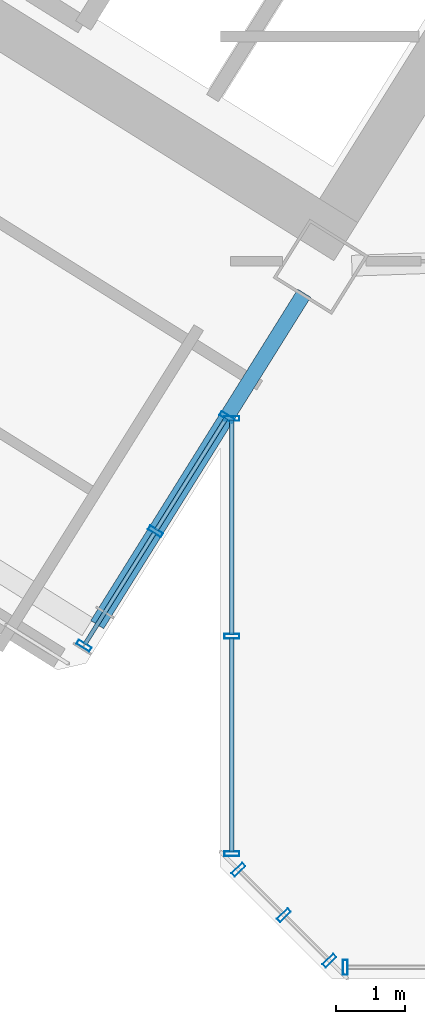
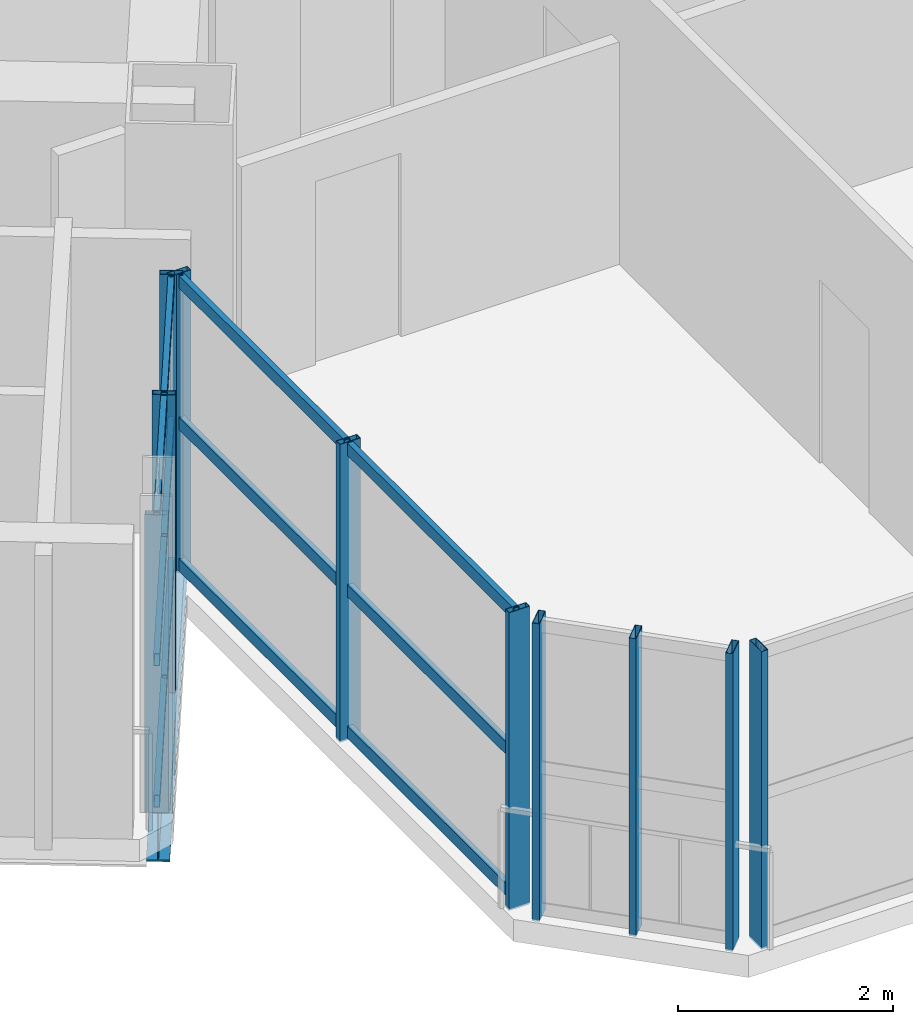
# One storey, part 5 of 28: 22 members, 1 beam, 4 elements without a shape of their own.
"""IFC4 building model written with IfcOpenShell, lengths in metres."""

from ifc_helpers import new_model, si_unit, direction, frame, origin, origin_2d, place, context, subcontext, project, spatial, hollow_rectangle, i_section, extrude, source, transform, mapped, material, material_profile, profile_set, type_object, element, aggregate, save


model = new_model("IFC4")

# Units and contexts
model_context = context("Model", 3, precision=1e-05, world=origin(), true_north=direction((0.0, 1.0)))
body_context = subcontext(model_context, "Body", "Model", "MODEL_VIEW")
ifc_project = project(units=[si_unit("LENGTHUNIT", "METRE"), si_unit("AREAUNIT", "SQUARE_METRE"), si_unit("VOLUMEUNIT", "CUBIC_METRE"), si_unit("PLANEANGLEUNIT", "RADIAN"), si_unit("MASSUNIT", "GRAM", prefix="KILO")], contexts=[model_context])

# Site, building, storey
site_placement = place(None, origin())
site = spatial("IfcSite", under=ifc_project, at=site_placement, CompositionType="ELEMENT")
building_placement = place(site_placement, origin())
building = spatial("IfcBuilding", under=site, at=building_placement, Name="Tlacorven Tower", CompositionType="ELEMENT")
storey_placement = place(building_placement, frame((0.0, 0.0, 42.0)))
storey = spatial("IfcBuildingStorey", under=building, at=storey_placement, Name="L10", CompositionType="ELEMENT", Elevation=42.0)

# Beam
ifc_material_1 = material(Name="Steel S355J2", Category="steel")
ifc_material_profile_1 = material_profile(ifc_material_1, i_section(OverallWidth=0.219970703125, OverallDepth=0.60009765625, WebThickness=0.011962890625, FlangeThickness=0.01904296875, at=origin_2d()), Name="IPE 600")
ifc_profile_set_1 = profile_set([ifc_material_profile_1], Name="Steel S355J2")
beam_type = type_object("IfcBeamType", Name="BM-TWR-600", PredefinedType="BEAM", material=ifc_profile_set_1)
shared_shape_1 = source(origin(), body_context, "Body", "SweptSolid", [
    extrude(i_section(OverallWidth=0.219970703125, OverallDepth=0.60009765625, WebThickness=0.011962890625, FlangeThickness=0.01904296875, at=origin_2d()), origin(), (0.0, 0.0, 1.0), 5.64990234375),
])
beam_placement = place(storey_placement, frame((32.8076171875, 11.705322265625, -0.550048828125), z_axis=(-0.529897948462, -0.848061415356, 0.0), x_axis=(0.848061415356, -0.529897948462, 0.0)))
element("IfcBeam", 1, at=beam_placement, inside=storey, type_object=beam_type, Name="L10 beam BM-L10-WT1-2", PredefinedType="BEAM", context=body_context, shape_type="MappedRepresentation", body=[
    mapped(shared_shape_1, transform((0.0, 0.0, 0.0), scale=1.0)),
])

# Curtain wall, member
ifc_material_2 = material(Name="Dark solar low-E double glazing in aluminium frame", Category="aluminium")
curtain_wall_type = type_object("IfcCurtainWallType", Name="CW-TWR-LOW", PredefinedType="USERDEFINED", material=ifc_material_2)
curtain_wall_1_placement = place(storey_placement, origin())
curtain_wall_1 = element("IfcCurtainWall", 2, at=curtain_wall_1_placement, inside=storey, type_object=curtain_wall_type, Name="L10 CW-TWR-LOW Curtain Wall 52", ObjectType="UNITISED CURTAIN WALL", PredefinedType="USERDEFINED")
ifc_material_3 = material(Name="Aluminium 6063-T6 anodised", Category="aluminium")
ifc_material_profile_2 = material_profile(ifc_material_3, hollow_rectangle(XDim=0.070068359375, YDim=0.219970703125, WallThickness=0.0048828125, at=origin_2d()), Name="ALU MULLION 70X220")
ifc_profile_set_2 = profile_set([ifc_material_profile_2], Name="Aluminium 6063-T6 anodised")
member_type_1 = type_object("IfcMemberType", Name="CWM-01", PredefinedType="MULLION", material=ifc_profile_set_2)
shared_shape_2 = source(origin(), body_context, "Body", "SweptSolid", [
    extrude(hollow_rectangle(XDim=0.070068359375, YDim=0.219970703125, WallThickness=0.0048828125, at=origin_2d()), origin(), (0.0, 0.0, 1.0), 3.380126953125),
])
member_1_placement = place(storey_placement, frame((33.4013671875, 1.9599609375, -0.02001953125), z_axis=(0.0, 0.0, 1.0), x_axis=(-1.0, 0.0, 0.0)))
member_1 = element("IfcMember", 3, at=member_1_placement, type_object=member_type_1, Name="CW-L10-052 Mullion 4", PredefinedType="MULLION", context=body_context, shape_type="MappedRepresentation", body=[
    mapped(shared_shape_2, transform((0.0, 0.0, 0.0), scale=1.0)),
])
aggregate(curtain_wall_1, [member_1])

# Curtain wall, members
curtain_wall_2_placement = place(storey_placement, origin())
curtain_wall_2 = element("IfcCurtainWall", 4, at=curtain_wall_2_placement, inside=storey, type_object=curtain_wall_type, Name="L10 CW-TWR-LOW Curtain Wall 53", ObjectType="UNITISED CURTAIN WALL", PredefinedType="USERDEFINED")
member_2_placement = place(storey_placement, frame((33.1708984375, 2.055419921875, -0.02001953125), z_axis=(0.0, 0.0, 1.0), x_axis=(-0.707106781187, 0.707106781187, 0.0)))
member_2 = element("IfcMember", 5, at=member_2_placement, type_object=member_type_1, Name="CW-L10-053 Mullion 1", PredefinedType="MULLION", context=body_context, shape_type="MappedRepresentation", body=[
    mapped(shared_shape_2, transform((0.0, 0.0, 0.0), scale=1.0)),
])
member_3_placement = place(storey_placement, frame((32.51318359375, 2.713134765625, -0.02001953125), z_axis=(0.0, 0.0, 1.0), x_axis=(-0.707106781187, 0.707106781187, 0.0)))
member_3 = element("IfcMember", 6, at=member_3_placement, type_object=member_type_1, Name="CW-L10-053 Mullion 2", PredefinedType="MULLION", context=body_context, shape_type="MappedRepresentation", body=[
    mapped(shared_shape_2, transform((0.0, 0.0, 0.0), scale=1.0)),
])
member_4_placement = place(storey_placement, frame((31.85546875, 3.370849609375, -0.02001953125), z_axis=(0.0, 0.0, 1.0), x_axis=(-0.707106781187, 0.707106781187, 0.0)))
member_4 = element("IfcMember", 7, at=member_4_placement, type_object=member_type_1, Name="CW-L10-053 Mullion 3", PredefinedType="MULLION", context=body_context, shape_type="MappedRepresentation", body=[
    mapped(shared_shape_2, transform((0.0, 0.0, 0.0), scale=1.0)),
])
aggregate(curtain_wall_2, [member_2, member_3, member_4])

curtain_wall_3_placement = place(storey_placement, origin())
curtain_wall_3 = element("IfcCurtainWall", 8, at=curtain_wall_3_placement, inside=storey, type_object=curtain_wall_type, Name="L10 CW-TWR-LOW Curtain Wall 54", ObjectType="UNITISED CURTAIN WALL", PredefinedType="USERDEFINED")
member_5_placement = place(storey_placement, frame((31.760009765625, 3.601318359375, -0.02001953125), z_axis=(0.0, 0.0, 1.0), x_axis=(0.0, 1.0, 0.0)))
member_5 = element("IfcMember", 9, at=member_5_placement, type_object=member_type_1, Name="CW-L10-054 Mullion 1", PredefinedType="MULLION", context=body_context, shape_type="MappedRepresentation", body=[
    mapped(shared_shape_2, transform((0.0, 0.0, 0.0), scale=1.0)),
])
member_6_placement = place(storey_placement, frame((31.760009765625, 6.74755859375, -0.02001953125), z_axis=(0.0, 0.0, 1.0), x_axis=(0.0, 1.0, 0.0)))
member_6 = element("IfcMember", 10, at=member_6_placement, type_object=member_type_1, Name="CW-L10-054 Mullion 2", PredefinedType="MULLION", context=body_context, shape_type="MappedRepresentation", body=[
    mapped(shared_shape_2, transform((0.0, 0.0, 0.0), scale=1.0)),
])
member_7_placement = place(storey_placement, frame((31.760009765625, 9.8935546875, -0.02001953125), z_axis=(0.0, 0.0, 1.0), x_axis=(0.0, 1.0, 0.0)))
member_7 = element("IfcMember", 11, at=member_7_placement, type_object=member_type_1, Name="CW-L10-054 Mullion 3", PredefinedType="MULLION", context=body_context, shape_type="MappedRepresentation", body=[
    mapped(shared_shape_2, transform((0.0, 0.0, 0.0), scale=1.0)),
])

curtain_wall_4_placement = place(storey_placement, origin())
curtain_wall_4 = element("IfcCurtainWall", 12, at=curtain_wall_4_placement, inside=storey, type_object=curtain_wall_type, Name="L10 CW-TWR-LOW Curtain Wall 55", ObjectType="UNITISED CURTAIN WALL", PredefinedType="USERDEFINED")
member_8_placement = place(storey_placement, frame((31.6884765625, 9.9140625, -0.02001953125), z_axis=(0.0, 0.0, 1.0), x_axis=(-0.529918710919, -0.848048441905, 0.0)))
member_8 = element("IfcMember", 13, at=member_8_placement, type_object=member_type_1, Name="CW-L10-055 Mullion 1", PredefinedType="MULLION", context=body_context, shape_type="MappedRepresentation", body=[
    mapped(shared_shape_2, transform((0.0, 0.0, 0.0), scale=1.0)),
])
member_9_placement = place(storey_placement, frame((30.656005859375, 8.261962890625, -0.02001953125), z_axis=(0.0, 0.0, 1.0), x_axis=(-0.529918710919, -0.848048441905, 0.0)))
member_9 = element("IfcMember", 14, at=member_9_placement, type_object=member_type_1, Name="CW-L10-055 Mullion 2", PredefinedType="MULLION", context=body_context, shape_type="MappedRepresentation", body=[
    mapped(shared_shape_2, transform((0.0, 0.0, 0.0), scale=1.0)),
])
member_10_placement = place(storey_placement, frame((29.62353515625, 6.609619140625, -0.02001953125), z_axis=(0.0, 0.0, 1.0), x_axis=(-0.529918710919, -0.848048441905, 0.0)))
member_10 = element("IfcMember", 15, at=member_10_placement, type_object=member_type_1, Name="CW-L10-055 Mullion 3", PredefinedType="MULLION", context=body_context, shape_type="MappedRepresentation", body=[
    mapped(shared_shape_2, transform((0.0, 0.0, 0.0), scale=1.0)),
])

# Member
ifc_material_profile_3 = material_profile(ifc_material_3, hollow_rectangle(XDim=0.06005859375, YDim=0.139892578125, WallThickness=0.00390625, at=origin_2d()), Name="ALU TRANSOM 60X140")
ifc_profile_set_3 = profile_set([ifc_material_profile_3], Name="Aluminium 6063-T6 anodised")
member_type_2 = type_object("IfcMemberType", Name="CWT-02", PredefinedType="USERDEFINED", material=ifc_profile_set_3)
shared_shape_3 = source(origin(), body_context, "Body", "SweptSolid", [
    extrude(hollow_rectangle(XDim=0.06005859375, YDim=0.139892578125, WallThickness=0.00390625, at=origin_2d()), origin(), (0.0, 0.0, 1.0), 3.10009765625),
])
member_11_placement = place(storey_placement, frame((31.760009765625, 3.624267578125, 0.070068359375), z_axis=(0.0, 1.0, 0.0), x_axis=(-1.0, 0.0, 0.0)))
member_11 = element("IfcMember", 16, at=member_11_placement, type_object=member_type_2, Name="CW-L10-054 Transom 1", ObjectType="TRANSOM", PredefinedType="USERDEFINED", context=body_context, shape_type="MappedRepresentation", body=[
    mapped(shared_shape_3, transform((0.0, 0.0, 0.0), scale=1.0)),
])

member_12_placement = place(storey_placement, frame((31.760009765625, 3.624267578125, 1.675048828125), z_axis=(0.0, 1.0, 0.0), x_axis=(-1.0, 0.0, 0.0)))
member_12 = element("IfcMember", 17, at=member_12_placement, type_object=member_type_2, Name="CW-L10-054 Transom 2", ObjectType="TRANSOM", PredefinedType="USERDEFINED", context=body_context, shape_type="MappedRepresentation", body=[
    mapped(shared_shape_3, transform((0.0, 0.0, 0.0), scale=1.0)),
])

member_13_placement = place(storey_placement, frame((31.760009765625, 3.624267578125, 3.280029296875), z_axis=(0.0, 1.0, 0.0), x_axis=(-1.0, 0.0, 0.0)))
member_13 = element("IfcMember", 18, at=member_13_placement, type_object=member_type_2, Name="CW-L10-054 Transom 3", ObjectType="TRANSOM", PredefinedType="USERDEFINED", context=body_context, shape_type="MappedRepresentation", body=[
    mapped(shared_shape_3, transform((0.0, 0.0, 0.0), scale=1.0)),
])

member_14_placement = place(storey_placement, frame((31.760009765625, 6.7705078125, 0.070068359375), z_axis=(0.0, 1.0, 0.0), x_axis=(-1.0, 0.0, 0.0)))
member_14 = element("IfcMember", 19, at=member_14_placement, type_object=member_type_2, Name="CW-L10-054 Transom 4", ObjectType="TRANSOM", PredefinedType="USERDEFINED", context=body_context, shape_type="MappedRepresentation", body=[
    mapped(shared_shape_3, transform((0.0, 0.0, 0.0), scale=1.0)),
])

member_15_placement = place(storey_placement, frame((31.760009765625, 6.7705078125, 1.675048828125), z_axis=(0.0, 1.0, 0.0), x_axis=(-1.0, 0.0, 0.0)))
member_15 = element("IfcMember", 20, at=member_15_placement, type_object=member_type_2, Name="CW-L10-054 Transom 5", ObjectType="TRANSOM", PredefinedType="USERDEFINED", context=body_context, shape_type="MappedRepresentation", body=[
    mapped(shared_shape_3, transform((0.0, 0.0, 0.0), scale=1.0)),
])

member_16_placement = place(storey_placement, frame((31.760009765625, 6.7705078125, 3.280029296875), z_axis=(0.0, 1.0, 0.0), x_axis=(-1.0, 0.0, 0.0)))
member_16 = element("IfcMember", 21, at=member_16_placement, type_object=member_type_2, Name="CW-L10-054 Transom 6", ObjectType="TRANSOM", PredefinedType="USERDEFINED", context=body_context, shape_type="MappedRepresentation", body=[
    mapped(shared_shape_3, transform((0.0, 0.0, 0.0), scale=1.0)),
])

aggregate(curtain_wall_3, [member_5, member_6, member_7, member_11, member_12, member_13, member_14, member_15, member_16])

shared_shape_4 = source(origin(), body_context, "Body", "SweptSolid", [
    extrude(hollow_rectangle(XDim=0.06005859375, YDim=0.139892578125, WallThickness=0.00390625, at=origin_2d()), origin(), (0.0, 0.0, 1.0), 1.902587890625),
])
member_17_placement = place(storey_placement, frame((31.67626953125, 9.894775390625, 0.070068359375), z_axis=(-0.529848980307, -0.848092010378, 0.0), x_axis=(0.848092010378, -0.529848980307, 0.0)))
member_17 = element("IfcMember", 22, at=member_17_placement, type_object=member_type_2, Name="CW-L10-055 Transom 1", ObjectType="TRANSOM", PredefinedType="USERDEFINED", context=body_context, shape_type="MappedRepresentation", body=[
    mapped(shared_shape_4, transform((0.0, 0.0, 0.0), scale=1.0)),
])

member_18_placement = place(storey_placement, frame((31.67626953125, 9.894775390625, 1.675048828125), z_axis=(-0.529848980307, -0.848092010378, 0.0), x_axis=(0.848092010378, -0.529848980307, 0.0)))
member_18 = element("IfcMember", 23, at=member_18_placement, type_object=member_type_2, Name="CW-L10-055 Transom 2", ObjectType="TRANSOM", PredefinedType="USERDEFINED", context=body_context, shape_type="MappedRepresentation", body=[
    mapped(shared_shape_4, transform((0.0, 0.0, 0.0), scale=1.0)),
])

member_19_placement = place(storey_placement, frame((31.67626953125, 9.894775390625, 3.280029296875), z_axis=(-0.529848980307, -0.848092010378, 0.0), x_axis=(0.848092010378, -0.529848980307, 0.0)))
member_19 = element("IfcMember", 24, at=member_19_placement, type_object=member_type_2, Name="CW-L10-055 Transom 3", ObjectType="TRANSOM", PredefinedType="USERDEFINED", context=body_context, shape_type="MappedRepresentation", body=[
    mapped(shared_shape_4, transform((0.0, 0.0, 0.0), scale=1.0)),
])

shared_shape_5 = source(origin(), body_context, "Body", "SweptSolid", [
    extrude(hollow_rectangle(XDim=0.06005859375, YDim=0.139892578125, WallThickness=0.00390625, at=origin_2d()), origin(), (0.0, 0.0, 1.0), 1.90234375),
])
member_20_placement = place(storey_placement, frame((30.643798828125, 8.242431640625, 0.070068359375), z_axis=(-0.52990664903, -0.84805597888, 0.0), x_axis=(0.84805597888, -0.52990664903, 0.0)))
member_20 = element("IfcMember", 25, at=member_20_placement, type_object=member_type_2, Name="CW-L10-055 Transom 4", ObjectType="TRANSOM", PredefinedType="USERDEFINED", context=body_context, shape_type="MappedRepresentation", body=[
    mapped(shared_shape_5, transform((0.0, 0.0, 0.0), scale=1.0)),
])

member_21_placement = place(storey_placement, frame((30.643798828125, 8.242431640625, 1.675048828125), z_axis=(-0.52990664903, -0.84805597888, 0.0), x_axis=(0.84805597888, -0.52990664903, 0.0)))
member_21 = element("IfcMember", 26, at=member_21_placement, type_object=member_type_2, Name="CW-L10-055 Transom 5", ObjectType="TRANSOM", PredefinedType="USERDEFINED", context=body_context, shape_type="MappedRepresentation", body=[
    mapped(shared_shape_5, transform((0.0, 0.0, 0.0), scale=1.0)),
])

member_22_placement = place(storey_placement, frame((30.643798828125, 8.242431640625, 3.280029296875), z_axis=(-0.52990664903, -0.84805597888, 0.0), x_axis=(0.84805597888, -0.52990664903, 0.0)))
member_22 = element("IfcMember", 27, at=member_22_placement, type_object=member_type_2, Name="CW-L10-055 Transom 6", ObjectType="TRANSOM", PredefinedType="USERDEFINED", context=body_context, shape_type="MappedRepresentation", body=[
    mapped(shared_shape_5, transform((0.0, 0.0, 0.0), scale=1.0)),
])

aggregate(curtain_wall_4, [member_8, member_9, member_10, member_17, member_18, member_19, member_20, member_21, member_22])

save(model, "model.ifc")
